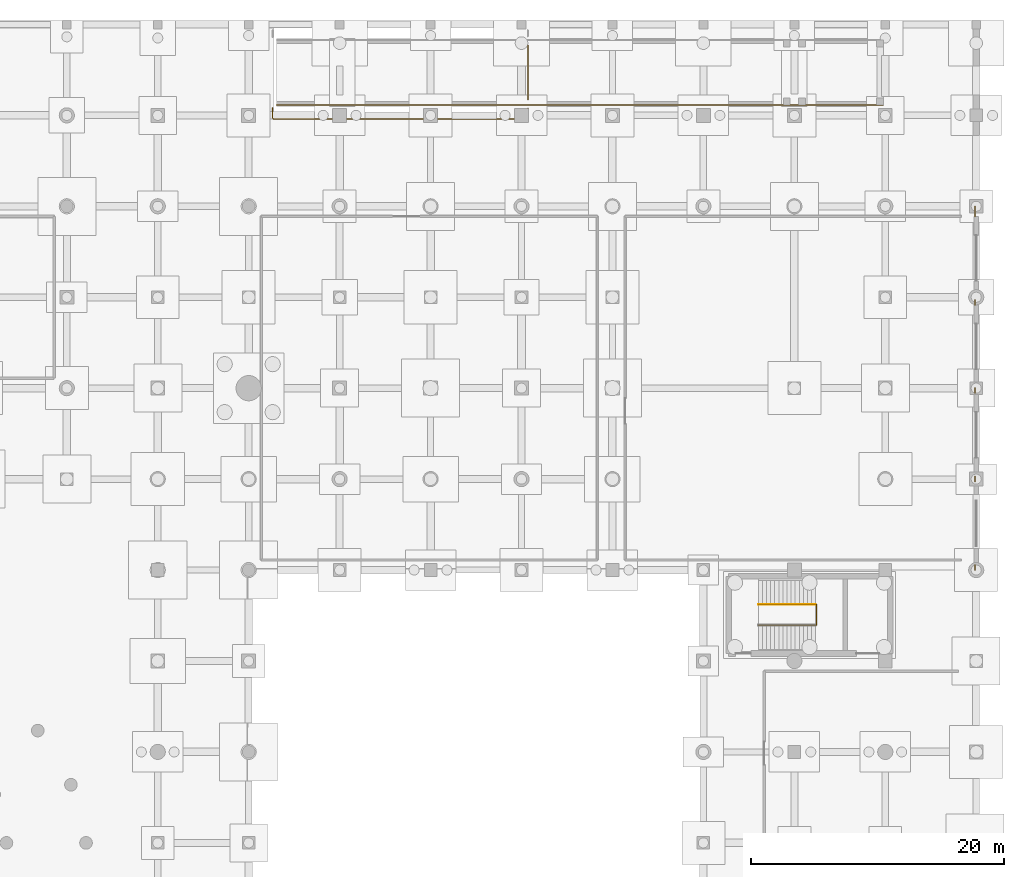
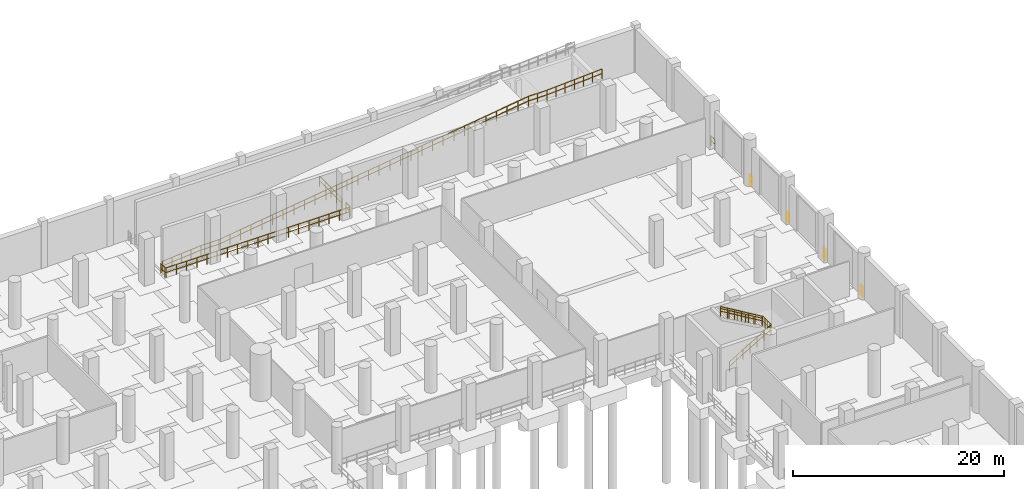
# One storey, part 35 of 37: 12 railings.
"""IFC4 building model written with IfcOpenShell, lengths in metres."""

from ifc_helpers import new_model, si_unit, direction, frame, origin, origin_2d, place, context, subcontext, project, spatial, circle, extrude, material, type_object, element, save


model = new_model("IFC4")

# Units and contexts
model_context = context("Model", 3, precision=1e-05, world=origin(), true_north=direction((0.0, 1.0)))
body_context = subcontext(model_context, "Body", "Model", "MODEL_VIEW")
ifc_project = project(units=[si_unit("LENGTHUNIT", "METRE"), si_unit("AREAUNIT", "SQUARE_METRE"), si_unit("VOLUMEUNIT", "CUBIC_METRE"), si_unit("PLANEANGLEUNIT", "RADIAN"), si_unit("MASSUNIT", "GRAM", prefix="KILO")], contexts=[model_context])

# Site, building, storey
site_placement = place(None, origin())
site = spatial("IfcSite", under=ifc_project, at=site_placement, CompositionType="ELEMENT")
building_placement = place(site_placement, origin())
building = spatial("IfcBuilding", under=site, at=building_placement, Name="Qandorah Velis Arena", CompositionType="ELEMENT")
storey_placement = place(building_placement, frame((0.0, 0.0, -5.39990234375)))
storey = spatial("IfcBuildingStorey", under=building, at=storey_placement, Name="B1", CompositionType="ELEMENT", Elevation=-5.39990234375)

# Railings
ifc_material = material(Name="Stainless steel 316", Category="steel")
railing_type_1 = type_object("IfcRailingType", Name="ARC-RL-GRD1150", PredefinedType="GUARDRAIL", material=ifc_material)
railing_1_placement = place(storey_placement, frame((160.14599609375, 82.0400390625, 2.699951171875)))
element("IfcRailing", 1, at=railing_1_placement, inside=storey, type_object=railing_type_1, Name="Stair ST8 well guardrail (B1)", PredefinedType="GUARDRAIL", context=body_context, shape_type="SweptSolid", body=[
    extrude(circle(Radius=0.02392578125, at=origin_2d()), frame((0.0, 0.0, 1.1259765625), z_axis=(0.0, 1.0, 0.0), x_axis=(-1.0, 0.0, 0.0)), (0.0, 0.0, 1.0), 1.619873046875),
    extrude(circle(Radius=0.02392578125, at=origin_2d()), frame((0.0, 0.0, 0.597900390625), z_axis=(0.0, 1.0, 0.0), x_axis=(-1.0, 0.0, 0.0)), (0.0, 0.0, 1.0), 1.619873046875),
    extrude(circle(Radius=0.02099609375, at=origin_2d()), origin(), (0.0, 0.0, 1.0), 1.101806640625),
    extrude(circle(Radius=0.02099609375, at=origin_2d()), frame((0.0, 0.27001953125, 0.0)), (0.0, 0.0, 1.0), 1.101806640625),
    extrude(circle(Radius=0.02099609375, at=origin_2d()), frame((0.0, 0.5400390625, 0.0)), (0.0, 0.0, 1.0), 1.101806640625),
    extrude(circle(Radius=0.02099609375, at=origin_2d()), frame((0.0, 0.81005859375, 0.0)), (0.0, 0.0, 1.0), 1.101806640625),
    extrude(circle(Radius=0.02099609375, at=origin_2d()), frame((0.0, 1.079833984375, 0.0)), (0.0, 0.0, 1.0), 1.101806640625),
    extrude(circle(Radius=0.02099609375, at=origin_2d()), frame((0.0, 1.349853515625, 0.0)), (0.0, 0.0, 1.0), 1.101806640625),
    extrude(circle(Radius=0.02099609375, at=origin_2d()), frame((0.0, 1.619873046875, 0.0)), (0.0, 0.0, 1.0), 1.101806640625),
])
railing_2_placement = place(storey_placement, frame((155.550048828125, 82.030029296875, 0.0)))
element("IfcRailing", 2, at=railing_2_placement, inside=storey, type_object=railing_type_1, Name="Stair ST8 inner flight 1 guardrail (B1)", PredefinedType="GUARDRAIL", context=body_context, shape_type="SweptSolid", body=[
    extrude(circle(Radius=0.02392578125, at=origin_2d()), frame((0.0, 0.0, 1.1259765625), z_axis=(0.859291432417, 0.0, 0.511486299107), x_axis=(0.0, 1.0, 0.0)), (0.0, 0.0, 1.0), 5.278564453125),
    extrude(circle(Radius=0.02392578125, at=origin_2d()), frame((0.0, 0.0, 0.597900390625), z_axis=(0.859291432417, 0.0, 0.511486299107), x_axis=(0.0, 1.0, 0.0)), (0.0, 0.0, 1.0), 5.278564453125),
    extrude(circle(Radius=0.02099609375, at=origin_2d()), origin(), (0.0, 0.0, 1.0), 1.101806640625),
    extrude(circle(Radius=0.02099609375, at=origin_2d()), frame((0.755859375, 0.0, 0.449951171875)), (0.0, 0.0, 1.0), 1.101806640625),
    extrude(circle(Radius=0.02099609375, at=origin_2d()), frame((1.511962890625, 0.0, 0.89990234375)), (0.0, 0.0, 1.0), 1.101806640625),
    extrude(circle(Radius=0.02099609375, at=origin_2d()), frame((2.26806640625, 0.0, 1.35009765625)), (0.0, 0.0, 1.0), 1.101806640625),
    extrude(circle(Radius=0.02099609375, at=origin_2d()), frame((3.02392578125, 0.0, 1.800048828125)), (0.0, 0.0, 1.0), 1.101806640625),
    extrude(circle(Radius=0.02099609375, at=origin_2d()), frame((3.77978515625, 0.0, 2.25)), (0.0, 0.0, 1.0), 1.101806640625),
    extrude(circle(Radius=0.02099609375, at=origin_2d()), frame((4.535888671875, 0.0, 2.699951171875)), (0.0, 0.0, 1.0), 1.101806640625),
])
railing_3_placement = place(storey_placement, frame((160.0859375, 83.669921875, 2.699951171875)))
element("IfcRailing", 3, at=railing_3_placement, inside=storey, type_object=railing_type_1, Name="Stair ST8 inner flight 2 guardrail (B1)", PredefinedType="GUARDRAIL", context=body_context, shape_type="SweptSolid", body=[
    extrude(circle(Radius=0.02392578125, at=origin_2d()), frame((0.0, 0.0, 1.1259765625), z_axis=(-0.859291432417, 0.0, 0.511486299107), x_axis=(0.0, -1.0, 0.0)), (0.0, 0.0, 1.0), 5.278564453125),
    extrude(circle(Radius=0.02392578125, at=origin_2d()), frame((0.0, 0.0, 0.597900390625), z_axis=(-0.859291432417, 0.0, 0.511486299107), x_axis=(0.0, -1.0, 0.0)), (0.0, 0.0, 1.0), 5.278564453125),
    extrude(circle(Radius=0.02099609375, at=origin_2d()), origin(), (0.0, 0.0, 1.0), 1.101806640625),
    extrude(circle(Radius=0.02099609375, at=origin_2d()), frame((-0.755859375, 0.0, 0.449951171875)), (0.0, 0.0, 1.0), 1.101806640625),
    extrude(circle(Radius=0.02099609375, at=origin_2d()), frame((-1.511962890625, 0.0, 0.89990234375)), (0.0, 0.0, 1.0), 1.101806640625),
    extrude(circle(Radius=0.02099609375, at=origin_2d()), frame((-2.26806640625, 0.0, 1.35009765625)), (0.0, 0.0, 1.0), 1.101806640625),
    extrude(circle(Radius=0.02099609375, at=origin_2d()), frame((-3.02392578125, 0.0, 1.800048828125)), (0.0, 0.0, 1.0), 1.101806640625),
    extrude(circle(Radius=0.02099609375, at=origin_2d()), frame((-3.77978515625, 0.0, 2.25)), (0.0, 0.0, 1.0), 1.101806640625),
    extrude(circle(Radius=0.02099609375, at=origin_2d()), frame((-4.535888671875, 0.0, 2.699951171875)), (0.0, 0.0, 1.0), 1.101806640625),
])
railing_4_placement = place(storey_placement, frame((117.39990234375, 123.219970703125, 0.0)))
element("IfcRailing", 4, at=railing_4_placement, inside=storey, type_object=railing_type_1, Name="Vehicle ramp VR1 sloped S edge guardrail", PredefinedType="GUARDRAIL", context=body_context, shape_type="SweptSolid", body=[
    extrude(circle(Radius=0.02392578125, at=origin_2d()), frame((0.0, 0.0, 1.1259765625), z_axis=(0.996548953392, 0.0, 0.083007129168), x_axis=(0.0, 1.0, 0.0)), (0.0, 0.0, 1.0), 4.21484375),
    extrude(circle(Radius=0.02392578125, at=origin_2d()), frame((0.0, 0.0, 0.597900390625), z_axis=(0.996548953392, 0.0, 0.083007129168), x_axis=(0.0, 1.0, 0.0)), (0.0, 0.0, 1.0), 4.21484375),
    extrude(circle(Radius=0.02392578125, at=origin_2d()), frame((4.2001953125, 0.0, 1.4755859375), z_axis=(1.0, 0.0, 0.0), x_axis=(0.0, 1.0, 0.0)), (0.0, 0.0, 1.0), 2.0),
    extrude(circle(Radius=0.02392578125, at=origin_2d()), frame((4.2001953125, 0.0, 0.94775390625), z_axis=(1.0, 0.0, 0.0), x_axis=(0.0, 1.0, 0.0)), (0.0, 0.0, 1.0), 2.0),
    extrude(circle(Radius=0.02392578125, at=origin_2d()), frame((6.2001953125, 0.0, 1.4755859375), z_axis=(0.990470163844, 0.0, 0.137727464709), x_axis=(0.0, 1.0, 0.0)), (0.0, 0.0, 1.0), 34.125),
    extrude(circle(Radius=0.02392578125, at=origin_2d()), frame((6.2001953125, 0.0, 0.94775390625), z_axis=(0.990470163844, 0.0, 0.137727464709), x_axis=(0.0, 1.0, 0.0)), (0.0, 0.0, 1.0), 34.125),
    extrude(circle(Radius=0.02392578125, at=origin_2d()), frame((40.0, 0.0, 6.17578125), z_axis=(1.0, 0.0, 0.0), x_axis=(0.0, 1.0, 0.0)), (0.0, 0.0, 1.0), 2.0),
    extrude(circle(Radius=0.02392578125, at=origin_2d()), frame((40.0, 0.0, 5.647705078125), z_axis=(1.0, 0.0, 0.0), x_axis=(0.0, 1.0, 0.0)), (0.0, 0.0, 1.0), 2.0),
    extrude(circle(Radius=0.02392578125, at=origin_2d()), frame((42.0, 0.0, 6.17578125), z_axis=(0.998301996181, 0.0, 0.058250531515), x_axis=(0.0, 1.0, 0.0)), (0.0, 0.0, 1.0), 6.01025390625),
    extrude(circle(Radius=0.02392578125, at=origin_2d()), frame((42.0, 0.0, 5.647705078125), z_axis=(0.998301996181, 0.0, 0.058250531515), x_axis=(0.0, 1.0, 0.0)), (0.0, 0.0, 1.0), 6.01025390625),
    extrude(circle(Radius=0.02099609375, at=origin_2d()), origin(), (0.0, 0.0, 1.0), 1.101806640625),
    extrude(circle(Radius=0.02099609375, at=origin_2d()), frame((1.050048828125, 0.0, 0.08740234375)), (0.0, 0.0, 1.0), 1.101806640625),
    extrude(circle(Radius=0.02099609375, at=origin_2d()), frame((2.10009765625, 0.0, 0.1748046875)), (0.0, 0.0, 1.0), 1.101806640625),
    extrude(circle(Radius=0.02099609375, at=origin_2d()), frame((3.150146484375, 0.0, 0.262451171875)), (0.0, 0.0, 1.0), 1.101806640625),
    extrude(circle(Radius=0.02099609375, at=origin_2d()), frame((4.2001953125, 0.0, 0.349853515625)), (0.0, 0.0, 1.0), 1.101806640625),
    extrude(circle(Radius=0.02099609375, at=origin_2d()), frame((5.2001953125, 0.0, 0.349853515625)), (0.0, 0.0, 1.0), 1.101806640625),
    extrude(circle(Radius=0.02099609375, at=origin_2d()), frame((6.2001953125, 0.0, 0.349853515625)), (0.0, 0.0, 1.0), 1.101806640625),
    extrude(circle(Radius=0.02099609375, at=origin_2d()), frame((7.36572265625, 0.0, 0.511962890625)), (0.0, 0.0, 1.0), 1.101806640625),
    extrude(circle(Radius=0.02099609375, at=origin_2d()), frame((8.53125, 0.0, 0.674072265625)), (0.0, 0.0, 1.0), 1.101806640625),
    extrude(circle(Radius=0.02099609375, at=origin_2d()), frame((9.69677734375, 0.0, 0.8359375)), (0.0, 0.0, 1.0), 1.101806640625),
    extrude(circle(Radius=0.02099609375, at=origin_2d()), frame((10.8623046875, 0.0, 0.998046875)), (0.0, 0.0, 1.0), 1.101806640625),
    extrude(circle(Radius=0.02099609375, at=origin_2d()), frame((12.02783203125, 0.0, 1.16015625)), (0.0, 0.0, 1.0), 1.101806640625),
    extrude(circle(Radius=0.02099609375, at=origin_2d()), frame((13.193359375, 0.0, 1.322265625)), (0.0, 0.0, 1.0), 1.101806640625),
    extrude(circle(Radius=0.02099609375, at=origin_2d()), frame((14.35888671875, 0.0, 1.484375)), (0.0, 0.0, 1.0), 1.101806640625),
    extrude(circle(Radius=0.02099609375, at=origin_2d()), frame((15.524169921875, 0.0, 1.646484375)), (0.0, 0.0, 1.0), 1.101806640625),
    extrude(circle(Radius=0.02099609375, at=origin_2d()), frame((16.689697265625, 0.0, 1.808349609375)), (0.0, 0.0, 1.0), 1.101806640625),
    extrude(circle(Radius=0.02099609375, at=origin_2d()), frame((17.855224609375, 0.0, 1.970458984375)), (0.0, 0.0, 1.0), 1.101806640625),
    extrude(circle(Radius=0.02099609375, at=origin_2d()), frame((19.020751953125, 0.0, 2.132568359375)), (0.0, 0.0, 1.0), 1.101806640625),
    extrude(circle(Radius=0.02099609375, at=origin_2d()), frame((20.186279296875, 0.0, 2.294677734375)), (0.0, 0.0, 1.0), 1.101806640625),
    extrude(circle(Radius=0.02099609375, at=origin_2d()), frame((21.351806640625, 0.0, 2.456787109375)), (0.0, 0.0, 1.0), 1.101806640625),
    extrude(circle(Radius=0.02099609375, at=origin_2d()), frame((22.517333984375, 0.0, 2.618896484375)), (0.0, 0.0, 1.0), 1.101806640625),
    extrude(circle(Radius=0.02099609375, at=origin_2d()), frame((23.682861328125, 0.0, 2.78076171875)), (0.0, 0.0, 1.0), 1.101806640625),
    extrude(circle(Radius=0.02099609375, at=origin_2d()), frame((24.848388671875, 0.0, 2.94287109375)), (0.0, 0.0, 1.0), 1.101806640625),
    extrude(circle(Radius=0.02099609375, at=origin_2d()), frame((26.013916015625, 0.0, 3.10498046875)), (0.0, 0.0, 1.0), 1.101806640625),
    extrude(circle(Radius=0.02099609375, at=origin_2d()), frame((27.179443359375, 0.0, 3.26708984375)), (0.0, 0.0, 1.0), 1.101806640625),
    extrude(circle(Radius=0.02099609375, at=origin_2d()), frame((28.344970703125, 0.0, 3.42919921875)), (0.0, 0.0, 1.0), 1.101806640625),
    extrude(circle(Radius=0.02099609375, at=origin_2d()), frame((29.510498046875, 0.0, 3.59130859375)), (0.0, 0.0, 1.0), 1.101806640625),
    extrude(circle(Radius=0.02099609375, at=origin_2d()), frame((30.676025390625, 0.0, 3.753173828125)), (0.0, 0.0, 1.0), 1.101806640625),
    extrude(circle(Radius=0.02099609375, at=origin_2d()), frame((31.84130859375, 0.0, 3.915283203125)), (0.0, 0.0, 1.0), 1.101806640625),
    extrude(circle(Radius=0.02099609375, at=origin_2d()), frame((33.0068359375, 0.0, 4.077392578125)), (0.0, 0.0, 1.0), 1.101806640625),
    extrude(circle(Radius=0.02099609375, at=origin_2d()), frame((34.17236328125, 0.0, 4.239501953125)), (0.0, 0.0, 1.0), 1.101806640625),
    extrude(circle(Radius=0.02099609375, at=origin_2d()), frame((35.337890625, 0.0, 4.401611328125)), (0.0, 0.0, 1.0), 1.101806640625),
    extrude(circle(Radius=0.02099609375, at=origin_2d()), frame((36.50341796875, 0.0, 4.563720703125)), (0.0, 0.0, 1.0), 1.101806640625),
    extrude(circle(Radius=0.02099609375, at=origin_2d()), frame((37.6689453125, 0.0, 4.7255859375)), (0.0, 0.0, 1.0), 1.101806640625),
    extrude(circle(Radius=0.02099609375, at=origin_2d()), frame((38.83447265625, 0.0, 4.8876953125)), (0.0, 0.0, 1.0), 1.101806640625),
    extrude(circle(Radius=0.02099609375, at=origin_2d()), frame((40.0, 0.0, 5.0498046875)), (0.0, 0.0, 1.0), 1.101806640625),
    extrude(circle(Radius=0.02099609375, at=origin_2d()), frame((41.0, 0.0, 5.0498046875)), (0.0, 0.0, 1.0), 1.101806640625),
    extrude(circle(Radius=0.02099609375, at=origin_2d()), frame((42.0, 0.0, 5.0498046875)), (0.0, 0.0, 1.0), 1.101806640625),
    extrude(circle(Radius=0.02099609375, at=origin_2d()), frame((43.0, 0.0, 5.108154296875)), (0.0, 0.0, 1.0), 1.101806640625),
    extrude(circle(Radius=0.02099609375, at=origin_2d()), frame((44.0, 0.0, 5.16650390625)), (0.0, 0.0, 1.0), 1.101806640625),
    extrude(circle(Radius=0.02099609375, at=origin_2d()), frame((45.0, 0.0, 5.224853515625)), (0.0, 0.0, 1.0), 1.101806640625),
    extrude(circle(Radius=0.02099609375, at=origin_2d()), frame((46.0, 0.0, 5.283203125)), (0.0, 0.0, 1.0), 1.101806640625),
    extrude(circle(Radius=0.02099609375, at=origin_2d()), frame((47.0, 0.0, 5.341552734375)), (0.0, 0.0, 1.0), 1.101806640625),
    extrude(circle(Radius=0.02099609375, at=origin_2d()), frame((48.0, 0.0, 5.39990234375)), (0.0, 0.0, 1.0), 1.101806640625),
])
railing_5_placement = place(storey_placement, frame((117.10009765625, 123.0, 0.0)))
element("IfcRailing", 5, at=railing_5_placement, inside=storey, type_object=railing_type_1, Name="Slab edge safety guardrail B1-009", PredefinedType="GUARDRAIL", context=body_context, shape_type="SweptSolid", body=[
    extrude(circle(Radius=0.02392578125, at=origin_2d()), frame((0.0, 0.0, 1.1259765625), z_axis=(0.0, -1.0, 0.0), x_axis=(1.0, 0.0, 0.0)), (0.0, 0.0, 1.0), 0.800048828125),
    extrude(circle(Radius=0.02392578125, at=origin_2d()), frame((0.0, 0.0, 0.597900390625), z_axis=(0.0, -1.0, 0.0), x_axis=(1.0, 0.0, 0.0)), (0.0, 0.0, 1.0), 0.800048828125),
    extrude(circle(Radius=0.02392578125, at=origin_2d()), frame((0.0, -0.800048828125, 1.1259765625), z_axis=(0.633342614097, -0.773871522392, 0.0), x_axis=(0.773871522392, 0.633342614097, 0.0)), (0.0, 0.0, 1.0), 0.126708984375),
    extrude(circle(Radius=0.02392578125, at=origin_2d()), frame((0.0, -0.800048828125, 0.597900390625), z_axis=(0.633342614097, -0.773871522392, 0.0), x_axis=(0.773871522392, 0.633342614097, 0.0)), (0.0, 0.0, 1.0), 0.126708984375),
    extrude(circle(Radius=0.02392578125, at=origin_2d()), frame((0.080322265625, -0.898193359375, 1.1259765625), z_axis=(0.999999996356, -8.5365853e-05, 0.0), x_axis=(8.5365853e-05, 0.999999996356, 0.0)), (0.0, 0.0, 1.0), 20.01953125),
    extrude(circle(Radius=0.02392578125, at=origin_2d()), frame((0.080322265625, -0.898193359375, 0.597900390625), z_axis=(0.999999996356, -8.5365853e-05, 0.0), x_axis=(8.5365853e-05, 0.999999996356, 0.0)), (0.0, 0.0, 1.0), 20.01953125),
    extrude(circle(Radius=0.02392578125, at=origin_2d()), frame((20.099853515625, -0.89990234375, 1.1259765625), z_axis=(0.773871522392, 0.633342614097, 0.0), x_axis=(-0.633342614097, 0.773871522392, 0.0)), (0.0, 0.0, 1.0), 0.126708984375),
    extrude(circle(Radius=0.02392578125, at=origin_2d()), frame((20.099853515625, -0.89990234375, 0.597900390625), z_axis=(0.773871522392, 0.633342614097, 0.0), x_axis=(-0.633342614097, 0.773871522392, 0.0)), (0.0, 0.0, 1.0), 0.126708984375),
    extrude(circle(Radius=0.02392578125, at=origin_2d()), frame((20.197998046875, -0.819580078125, 1.1259765625), z_axis=(0.002571511909, 0.999996693658, 0.0), x_axis=(-0.999996693658, 0.002571511909, 0.0)), (0.0, 0.0, 1.0), 0.759521484375),
    extrude(circle(Radius=0.02392578125, at=origin_2d()), frame((20.197998046875, -0.819580078125, 0.597900390625), z_axis=(0.002571511909, 0.999996693658, 0.0), x_axis=(-0.999996693658, 0.002571511909, 0.0)), (0.0, 0.0, 1.0), 0.759521484375),
    extrude(circle(Radius=0.02099609375, at=origin_2d()), origin(), (0.0, 0.0, 1.0), 1.101806640625),
    extrude(circle(Radius=0.02099609375, at=origin_2d()), frame((0.0, -0.800048828125, 0.0)), (0.0, 0.0, 1.0), 1.101806640625),
    extrude(circle(Radius=0.02099609375, at=origin_2d()), frame((0.080322265625, -0.898193359375, 0.0)), (0.0, 0.0, 1.0), 1.101806640625),
    extrude(circle(Radius=0.02099609375, at=origin_2d()), frame((1.192626953125, -0.898193359375, 0.0)), (0.0, 0.0, 1.0), 1.101806640625),
    extrude(circle(Radius=0.02099609375, at=origin_2d()), frame((2.3046875, -0.8984375, 0.0)), (0.0, 0.0, 1.0), 1.101806640625),
    extrude(circle(Radius=0.02099609375, at=origin_2d()), frame((3.4169921875, -0.8984375, 0.0)), (0.0, 0.0, 1.0), 1.101806640625),
    extrude(circle(Radius=0.02099609375, at=origin_2d()), frame((4.529052734375, -0.898681640625, 0.0)), (0.0, 0.0, 1.0), 1.101806640625),
    extrude(circle(Radius=0.02099609375, at=origin_2d()), frame((5.641357421875, -0.898681640625, 0.0)), (0.0, 0.0, 1.0), 1.101806640625),
    extrude(circle(Radius=0.02099609375, at=origin_2d()), frame((6.75341796875, -0.898681640625, 0.0)), (0.0, 0.0, 1.0), 1.101806640625),
    extrude(circle(Radius=0.02099609375, at=origin_2d()), frame((7.86572265625, -0.89892578125, 0.0)), (0.0, 0.0, 1.0), 1.101806640625),
    extrude(circle(Radius=0.02099609375, at=origin_2d()), frame((8.977783203125, -0.89892578125, 0.0)), (0.0, 0.0, 1.0), 1.101806640625),
    extrude(circle(Radius=0.02099609375, at=origin_2d()), frame((10.090087890625, -0.89892578125, 0.0)), (0.0, 0.0, 1.0), 1.101806640625),
    extrude(circle(Radius=0.02099609375, at=origin_2d()), frame((11.202392578125, -0.899169921875, 0.0)), (0.0, 0.0, 1.0), 1.101806640625),
    extrude(circle(Radius=0.02099609375, at=origin_2d()), frame((12.314453125, -0.899169921875, 0.0)), (0.0, 0.0, 1.0), 1.101806640625),
    extrude(circle(Radius=0.02099609375, at=origin_2d()), frame((13.4267578125, -0.8994140625, 0.0)), (0.0, 0.0, 1.0), 1.101806640625),
    extrude(circle(Radius=0.02099609375, at=origin_2d()), frame((14.538818359375, -0.8994140625, 0.0)), (0.0, 0.0, 1.0), 1.101806640625),
    extrude(circle(Radius=0.02099609375, at=origin_2d()), frame((15.651123046875, -0.8994140625, 0.0)), (0.0, 0.0, 1.0), 1.101806640625),
    extrude(circle(Radius=0.02099609375, at=origin_2d()), frame((16.76318359375, -0.899658203125, 0.0)), (0.0, 0.0, 1.0), 1.101806640625),
    extrude(circle(Radius=0.02099609375, at=origin_2d()), frame((17.87548828125, -0.899658203125, 0.0)), (0.0, 0.0, 1.0), 1.101806640625),
    extrude(circle(Radius=0.02099609375, at=origin_2d()), frame((18.987548828125, -0.89990234375, 0.0)), (0.0, 0.0, 1.0), 1.101806640625),
    extrude(circle(Radius=0.02099609375, at=origin_2d()), frame((20.099853515625, -0.89990234375, 0.0)), (0.0, 0.0, 1.0), 1.101806640625),
    extrude(circle(Radius=0.02099609375, at=origin_2d()), frame((20.197998046875, -0.819580078125, 0.0)), (0.0, 0.0, 1.0), 1.101806640625),
    extrude(circle(Radius=0.02099609375, at=origin_2d()), frame((20.199951171875, -0.06005859375, 0.0)), (0.0, 0.0, 1.0), 1.101806640625),
])
railing_6_placement = place(storey_placement, frame((137.300048828125, 123.659912109375, 0.0)))
element("IfcRailing", 6, at=railing_6_placement, inside=storey, type_object=railing_type_1, Name="Slab edge safety guardrail B1-010", PredefinedType="GUARDRAIL", context=body_context, shape_type="SweptSolid", body=[
    extrude(circle(Radius=0.02392578125, at=origin_2d()), frame((0.0, 0.0, 1.1259765625), z_axis=(0.0, 1.0, 0.0), x_axis=(-1.0, 0.0, 0.0)), (0.0, 0.0, 1.0), 4.280029296875),
    extrude(circle(Radius=0.02392578125, at=origin_2d()), frame((0.0, 0.0, 0.597900390625), z_axis=(0.0, 1.0, 0.0), x_axis=(-1.0, 0.0, 0.0)), (0.0, 0.0, 1.0), 4.280029296875),
    extrude(circle(Radius=0.02099609375, at=origin_2d()), origin(), (0.0, 0.0, 1.0), 1.101806640625),
    extrude(circle(Radius=0.02099609375, at=origin_2d()), frame((0.0, 1.070068359375, 0.0)), (0.0, 0.0, 1.0), 1.101806640625),
    extrude(circle(Radius=0.02099609375, at=origin_2d()), frame((0.0, 2.14013671875, 0.0)), (0.0, 0.0, 1.0), 1.101806640625),
    extrude(circle(Radius=0.02099609375, at=origin_2d()), frame((0.0, 3.2099609375, 0.0)), (0.0, 0.0, 1.0), 1.101806640625),
    extrude(circle(Radius=0.02099609375, at=origin_2d()), frame((0.0, 4.280029296875, 0.0)), (0.0, 0.0, 1.0), 1.101806640625),
])
railing_7_placement = place(storey_placement, frame((172.699951171875, 115.199951171875, 0.0)))
element("IfcRailing", 7, at=railing_7_placement, inside=storey, type_object=railing_type_1, Name="Slab edge safety guardrail B1-012", PredefinedType="GUARDRAIL", context=body_context, shape_type="SweptSolid", body=[
    extrude(circle(Radius=0.02392578125, at=origin_2d()), frame((0.0, 0.0, 1.1259765625), z_axis=(0.0, -1.0, 0.0), x_axis=(1.0, 0.0, 0.0)), (0.0, 0.0, 1.0), 0.800048828125),
    extrude(circle(Radius=0.02392578125, at=origin_2d()), frame((0.0, 0.0, 0.597900390625), z_axis=(0.0, -1.0, 0.0), x_axis=(1.0, 0.0, 0.0)), (0.0, 0.0, 1.0), 0.800048828125),
    extrude(circle(Radius=0.02099609375, at=origin_2d()), origin(), (0.0, 0.0, 1.0), 1.101806640625),
    extrude(circle(Radius=0.02099609375, at=origin_2d()), frame((0.0, -0.800048828125, 0.0)), (0.0, 0.0, 1.0), 1.101806640625),
])
for number, where, name in (
    (8, (172.699951171875, 107.800048828125, 0.0), "Slab edge safety guardrail B1-013"),
    (9, (172.699951171875, 100.800048828125, 0.0), "Slab edge safety guardrail B1-014"),
    (10, (172.699951171875, 93.800048828125, 0.0), "Slab edge safety guardrail B1-015"),
    (11, (172.699951171875, 86.800048828125, 0.0), "Slab edge safety guardrail B1-016"),
):
    element("IfcRailing", number, at=place(storey_placement, frame(where)), inside=storey, type_object=railing_type_1, Name=name, PredefinedType="GUARDRAIL", context=body_context, shape_type="SweptSolid", body=[
        extrude(circle(Radius=0.02392578125, at=origin_2d()), frame((0.0, 0.0, 1.1259765625), z_axis=(0.0, -1.0, 0.0), x_axis=(1.0, 0.0, 0.0)), (0.0, 0.0, 1.0), 0.400146484375),
        extrude(circle(Radius=0.02392578125, at=origin_2d()), frame((0.0, 0.0, 0.597900390625), z_axis=(0.0, -1.0, 0.0), x_axis=(1.0, 0.0, 0.0)), (0.0, 0.0, 1.0), 0.400146484375),
        extrude(circle(Radius=0.02099609375, at=origin_2d()), origin(), (0.0, 0.0, 1.0), 1.101806640625),
        extrude(circle(Radius=0.02099609375, at=origin_2d()), frame((0.0, -0.400146484375, 0.0)), (0.0, 0.0, 1.0), 1.101806640625),
    ])
railing_type_2 = type_object("IfcRailingType", Name="ARC-RL-HND920", PredefinedType="HANDRAIL", material=ifc_material)
railing_8_placement = place(storey_placement, frame((160.0859375, 83.669921875, 2.699951171875)))
element("IfcRailing", 12, at=railing_8_placement, inside=storey, type_object=railing_type_2, Name="Stair ST8 inner handrail 2 (B1)", PredefinedType="HANDRAIL", context=body_context, shape_type="SweptSolid", body=[
    extrude(circle(Radius=0.02392578125, at=origin_2d()), frame((0.0, 0.0, 0.89599609375), z_axis=(-0.859291432417, 0.0, 0.511486299107), x_axis=(0.0, -1.0, 0.0)), (0.0, 0.0, 1.0), 5.278564453125),
    extrude(circle(Radius=0.02099609375, at=origin_2d()), origin(), (0.0, 0.0, 1.0), 0.871826171875),
    extrude(circle(Radius=0.02099609375, at=origin_2d()), frame((-0.9072265625, 0.0, 0.5400390625)), (0.0, 0.0, 1.0), 0.871826171875),
    extrude(circle(Radius=0.02099609375, at=origin_2d()), frame((-1.814453125, 0.0, 1.080078125)), (0.0, 0.0, 1.0), 0.871826171875),
    extrude(circle(Radius=0.02099609375, at=origin_2d()), frame((-2.721435546875, 0.0, 1.619873046875)), (0.0, 0.0, 1.0), 0.871826171875),
    extrude(circle(Radius=0.02099609375, at=origin_2d()), frame((-3.628662109375, 0.0, 2.159912109375)), (0.0, 0.0, 1.0), 0.871826171875),
    extrude(circle(Radius=0.02099609375, at=origin_2d()), frame((-4.535888671875, 0.0, 2.699951171875)), (0.0, 0.0, 1.0), 0.871826171875),
])

save(model, "model.ifc")
